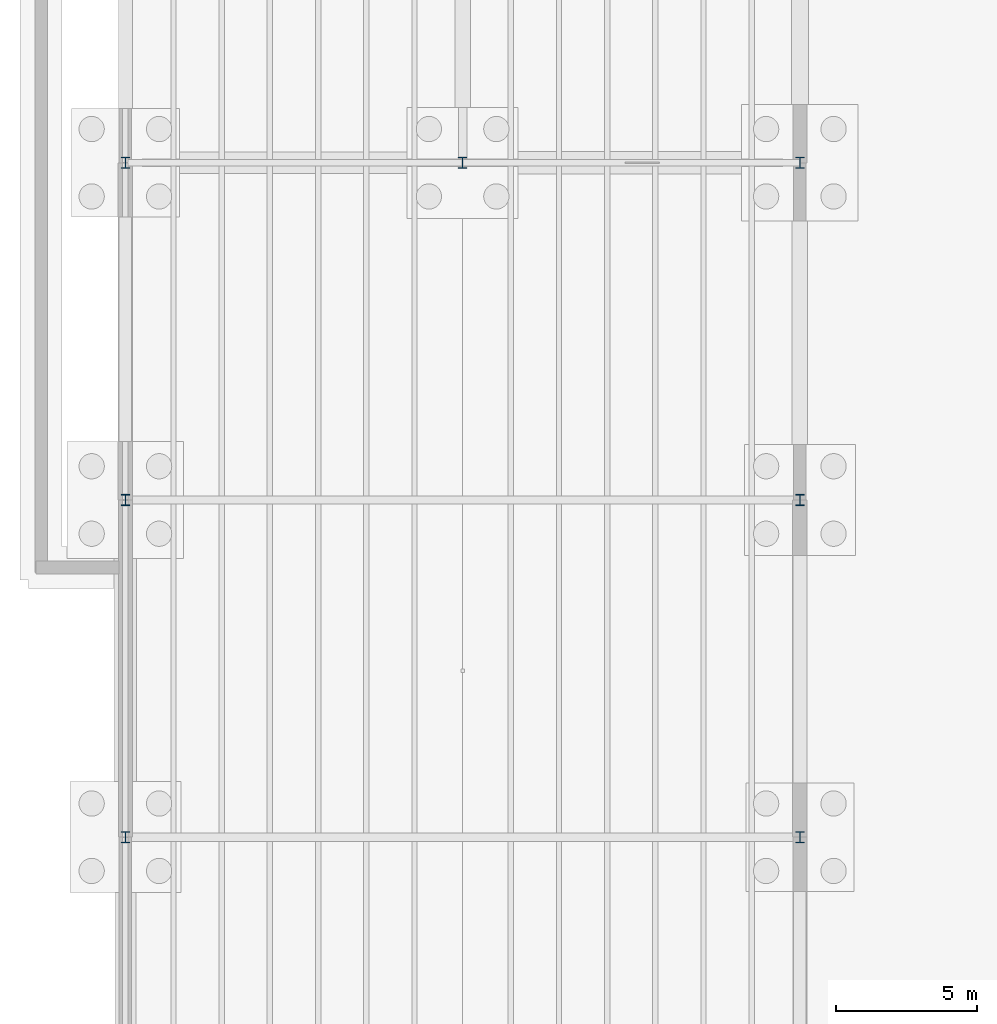
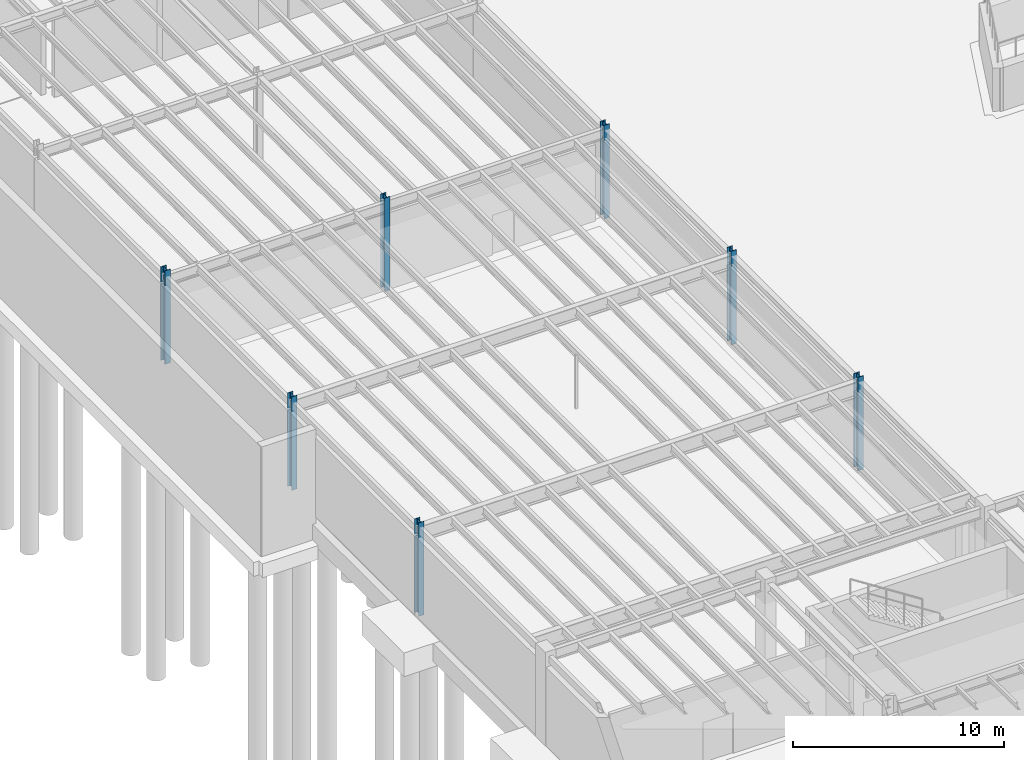
# One storey, part 10 of 67: 7 columns.
"""IFC4 building model written with IfcOpenShell, lengths in metres."""

from ifc_helpers import new_model, si_unit, direction, frame, origin, origin_2d, place, context, subcontext, project, spatial, i_section, extrude, material, material_profile, profile_set, type_object, element, save


model = new_model("IFC4")

# Units and contexts
model_context = context("Model", 3, precision=1e-05, world=origin(), true_north=direction((0.0, 1.0)))
body_context = subcontext(model_context, "Body", "Model", "MODEL_VIEW")
ifc_project = project(units=[si_unit("LENGTHUNIT", "METRE"), si_unit("AREAUNIT", "SQUARE_METRE"), si_unit("VOLUMEUNIT", "CUBIC_METRE"), si_unit("PLANEANGLEUNIT", "RADIAN"), si_unit("MASSUNIT", "GRAM", prefix="KILO")], contexts=[model_context])

# Site, building, storey
site_placement = place(None, origin())
site = spatial("IfcSite", under=ifc_project, at=site_placement, CompositionType="ELEMENT")
building_placement = place(site_placement, origin())
building = spatial("IfcBuilding", under=site, at=building_placement, Name="Zlatogorsky Bluff Art Gallery", CompositionType="ELEMENT")
storey_placement = place(building_placement, frame((0.0, 0.0, -5.39990234375)))
storey = spatial("IfcBuildingStorey", under=building, at=storey_placement, Name="B1", CompositionType="ELEMENT", Elevation=-5.39990234375)

# Columns
ifc_material = material(Name="Steel S355", Category="steel")
ifc_material_profile = material_profile(ifc_material, i_section(OverallWidth=0.300048828125, OverallDepth=0.39990234375, WebThickness=0.013427734375, FlangeThickness=0.02392578125, FilletRadius=0.027099609375, at=origin_2d()), Name="HEB 400")
ifc_profile_set = profile_set([ifc_material_profile], Name="Steel S355")
column_type = type_object("IfcColumnType", Name="Column CL-04 HEB 400", PredefinedType="COLUMN", material=ifc_profile_set)
for number, where, z_axis, x_axis, name in (
    (1, (0.0, 38.39990234375, 0.0), (0.0, 0.0, 1.0), (1.0, 0.0, 0.0), "Column CL-04 B1 A5"),
    (2, (0.0, 50.39990234375, 0.0), (0.0, 0.0, 1.0), (1.0, 0.0, 0.0), "Column CL-04 B1 A6"),
    (3, (0.0, 62.39990234375, 0.0), (0.0, 0.0, 1.0), (1.0, 0.0, 0.0), "Column CL-04 B1 A7"),
    (4, (12.0, 62.39990234375, 0.0), (0.0, 0.0, 1.0), (1.0, 0.0, 0.0), "Column CL-04 B1 B7"),
    (5, (24.0, 38.39990234375, 0.0), (0.0, 0.0, 1.0), (1.0, 0.0, 0.0), "Column CL-04 B1 C5"),
    (6, (24.0, 50.39990234375, 0.0), (0.0, 0.0, 1.0), (1.0, 0.0, 0.0), "Column CL-04 B1 C6"),
    (7, (24.0, 62.39990234375, 0.0), (0.0, 0.0, 1.0), (1.0, 0.0, 0.0), "Column CL-04 B1 C7"),
):
    element("IfcColumn", number, at=place(storey_placement, frame(where, z_axis=z_axis, x_axis=x_axis)), inside=storey, type_object=column_type, Name=name, PredefinedType="COLUMN", context=body_context, shape_type="SweptSolid", body=[
        extrude(i_section(OverallWidth=0.300048828125, OverallDepth=0.39990234375, WebThickness=0.013427734375, FlangeThickness=0.02392578125, FilletRadius=0.027099609375, at=origin_2d()), origin(), (0.0, 0.0, 1.0), 5.39990234375),
    ])

save(model, "model.ifc")
